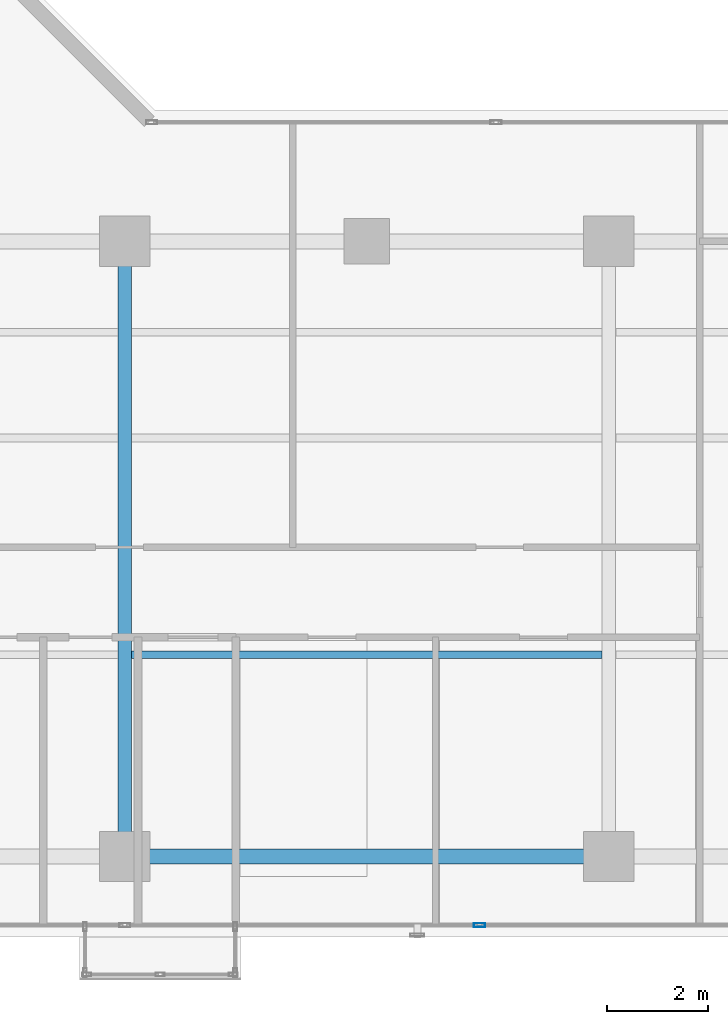
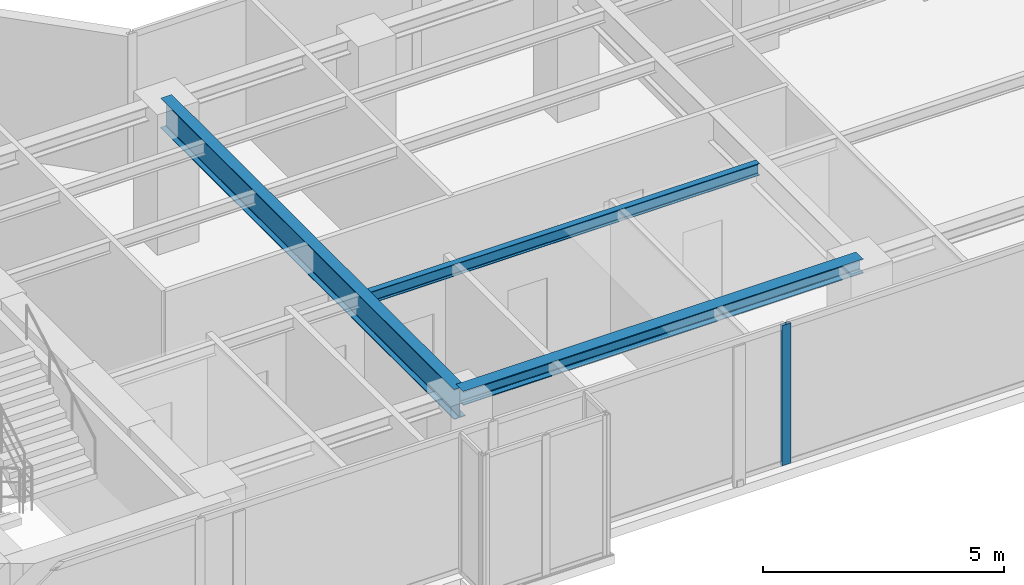
# One storey, part 5 of 22: 3 beams, 1 member, 1 element without a shape of its own.
"""IFC4 building model written with IfcOpenShell, lengths in metres."""

from ifc_helpers import new_model, si_unit, direction, frame, origin, origin_with_axes, origin_2d, place, context, subcontext, project, spatial, hollow_rectangle, i_section, extrude, source, transform, mapped, material, layer, layer_set, material_profile, profile_set, type_object, element, aggregate, save


model = new_model("IFC4")

# Units and contexts
model_context = context("Model", 3, precision=1e-05, world=origin(), true_north=direction((0.0, 1.0)))
body_context = subcontext(model_context, "Body", "Model", "MODEL_VIEW")
ifc_project = project(units=[si_unit("LENGTHUNIT", "METRE"), si_unit("AREAUNIT", "SQUARE_METRE"), si_unit("VOLUMEUNIT", "CUBIC_METRE"), si_unit("PLANEANGLEUNIT", "RADIAN"), si_unit("MASSUNIT", "GRAM", prefix="KILO")], contexts=[model_context])

# Site, building, storey
site_placement = place(None, origin())
site = spatial("IfcSite", under=ifc_project, at=site_placement, CompositionType="ELEMENT")
building_placement = place(site_placement, origin())
building = spatial("IfcBuilding", under=site, at=building_placement, Name="Kolvaren Waterfront Exchange", CompositionType="ELEMENT")
storey_placement = place(building_placement, frame((0.0, 0.0, 246.300048828125)))
storey = spatial("IfcBuildingStorey", under=building, at=storey_placement, Name="L63", CompositionType="ELEMENT", Elevation=246.300048828125)

# Beams
ifc_material_1 = material(Name="Steel S355", Category="steel")
ifc_material_profile_1 = material_profile(ifc_material_1, i_section(OverallWidth=0.300048828125, OverallDepth=0.360107421875, WebThickness=0.012451171875, FlangeThickness=0.0224609375, FilletRadius=0.027099609375, at=origin_2d()), Name="HEB360")
ifc_profile_set_1 = profile_set([ifc_material_profile_1], Name="Steel S355")
beam_type_1 = type_object("IfcBeamType", Name="STR-BM-HEB360", PredefinedType="SPANDREL", material=ifc_profile_set_1)
beam_1_placement = place(storey_placement, frame((27.199951171875, 5.199951171875, 3.3798828125), z_axis=(1.0, 0.0, 0.0), x_axis=(0.0, 1.0, 0.0)))
element("IfcBeam", 1, at=beam_1_placement, inside=storey, type_object=beam_type_1, Name="L63 east-arm spandrel S2", PredefinedType="SPANDREL", context=body_context, shape_type="SweptSolid", body=[
    extrude(i_section(OverallWidth=0.300048828125, OverallDepth=0.360107421875, WebThickness=0.012451171875, FlangeThickness=0.0224609375, FilletRadius=0.027099609375, at=origin_2d()), origin(), (0.0, 0.0, 1.0), 9.60009765625),
])
ifc_material_profile_2 = material_profile(ifc_material_1, i_section(OverallWidth=0.14990234375, OverallDepth=0.300048828125, WebThickness=0.007080078125, FlangeThickness=0.0107421875, FilletRadius=0.014892578125, at=origin_2d()), Name="IPE300")
ifc_profile_set_2 = profile_set([ifc_material_profile_2], Name="Steel S355")
beam_type_2 = type_object("IfcBeamType", Name="STR-BM-IPE300", PredefinedType="JOIST", material=ifc_profile_set_2)
beam_2_placement = place(storey_placement, frame((27.33544921875, 9.199951171875, 3.409912109375), z_axis=(1.0, 0.0, 0.0), x_axis=(0.0, 1.0, 0.0)))
element("IfcBeam", 2, at=beam_2_placement, inside=storey, type_object=beam_type_2, Name="L63 east-arm composite joist 2B", PredefinedType="JOIST", context=body_context, shape_type="SweptSolid", body=[
    extrude(i_section(OverallWidth=0.14990234375, OverallDepth=0.300048828125, WebThickness=0.007080078125, FlangeThickness=0.0107421875, FilletRadius=0.014892578125, at=origin_2d()), origin(), (0.0, 0.0, 1.0), 9.3291015625),
])
ifc_material_profile_3 = material_profile(ifc_material_1, i_section(OverallWidth=0.26708984375, OverallDepth=0.761962890625, WebThickness=0.014404296875, FlangeThickness=0.021484375, FilletRadius=0.01708984375, at=origin_2d()), Name="IPE750x173")
ifc_profile_set_3 = profile_set([ifc_material_profile_3], Name="Steel S355")
beam_type_3 = type_object("IfcBeamType", Name="STR-BM-IPE750", PredefinedType="BEAM", material=ifc_profile_set_3)
beam_3_placement = place(storey_placement, frame((27.199951171875, 5.199951171875, 3.178955078125), z_axis=(0.0, 1.0, 0.0), x_axis=(-1.0, 0.0, 0.0)))
element("IfcBeam", 3, at=beam_3_placement, inside=storey, type_object=beam_type_3, Name="L63 east-arm transverse girder X27", PredefinedType="BEAM", context=body_context, shape_type="SweptSolid", body=[
    extrude(i_section(OverallWidth=0.26708984375, OverallDepth=0.761962890625, WebThickness=0.014404296875, FlangeThickness=0.021484375, FilletRadius=0.01708984375, at=origin_2d()), origin(), (0.0, 0.0, 1.0), 12.199951171875),
])

# Curtain wall, member
ifc_material_2 = material(Name="Anodised bronze aluminium 6063-T6", Category="aluminium")
ifc_layer = layer(ifc_material_2, 0.219970703125, Name="Anodised bronze aluminium 6063-T6")
ifc_layer_set = layer_set([ifc_layer], Name="Anodised bronze aluminium 6063-T6")
curtain_wall_type = type_object("IfcCurtainWallType", Name="ARC-CW-SYS1", PredefinedType="USERDEFINED", material=ifc_layer_set)
curtain_wall_placement = place(storey_placement, origin())
curtain_wall = element("IfcCurtainWall", 4, at=curtain_wall_placement, inside=storey, type_object=curtain_wall_type, Name="L63 stick curtain wall CW1 (CW-L63-S)", ObjectType="STICK CURTAIN WALL", PredefinedType="USERDEFINED")
ifc_material_3 = material(Name="Anodised aluminium 6063-T6", Category="aluminium")
ifc_material_profile_4 = material_profile(ifc_material_3, hollow_rectangle(XDim=0.080078125, YDim=0.219970703125, WallThickness=0.0048828125, at=origin_2d()), Name="ALU-MUL-220x80x5")
ifc_profile_set_4 = profile_set([ifc_material_profile_4], Name="Anodised aluminium 6063-T6")
member_type = type_object("IfcMemberType", Name="ARC-CWM-220", PredefinedType="MULLION", material=ifc_profile_set_4)
shared_shape = source(origin_with_axes(), body_context, "Body", "SweptSolid", [
    extrude(hollow_rectangle(XDim=0.080078125, YDim=0.219970703125, WallThickness=0.0048828125, at=origin_2d()), origin(), (0.0, 0.0, 1.0), 3.56005859375),
])
member_placement = place(storey_placement, frame((34.2333984375, 3.840087890625, 0.0), z_axis=(0.0, 0.0, 1.0), x_axis=(0.0, 1.0, 0.0)))
member = element("IfcMember", 5, at=member_placement, type_object=member_type, Name="CW1 mullion 5", PredefinedType="MULLION", context=body_context, shape_type="MappedRepresentation", body=[
    mapped(shared_shape, transform((0.0, 0.0, 0.0), x_axis=(1.0, 0.0, 0.0), y_axis=(0.0, 1.0, 0.0), z_axis=(0.0, 0.0, 1.0), scale=1.0)),
])
aggregate(curtain_wall, [member])

save(model, "model.ifc")
